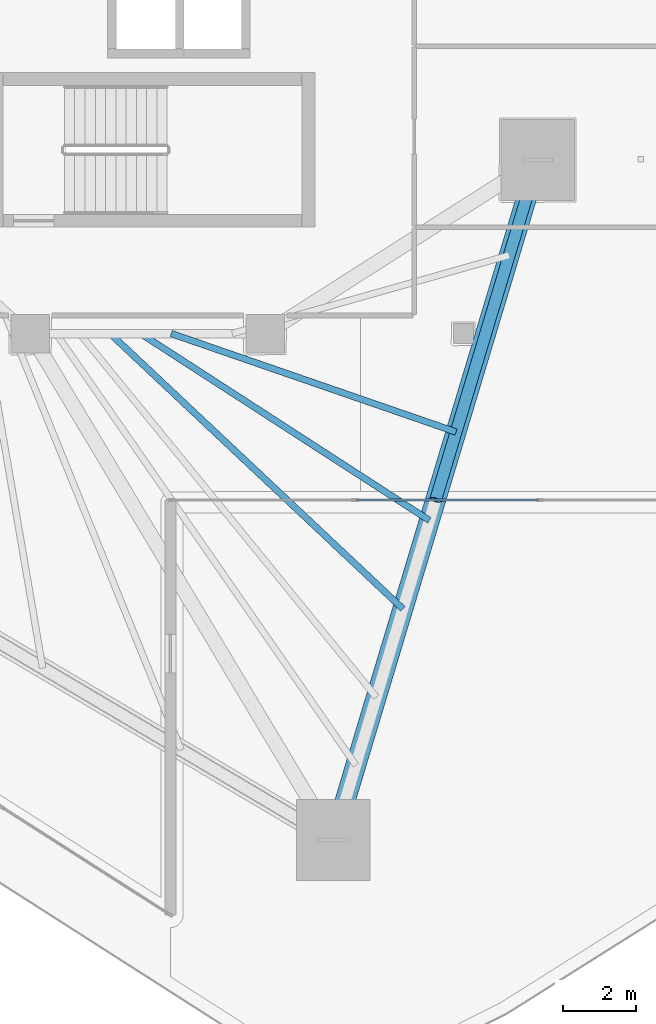
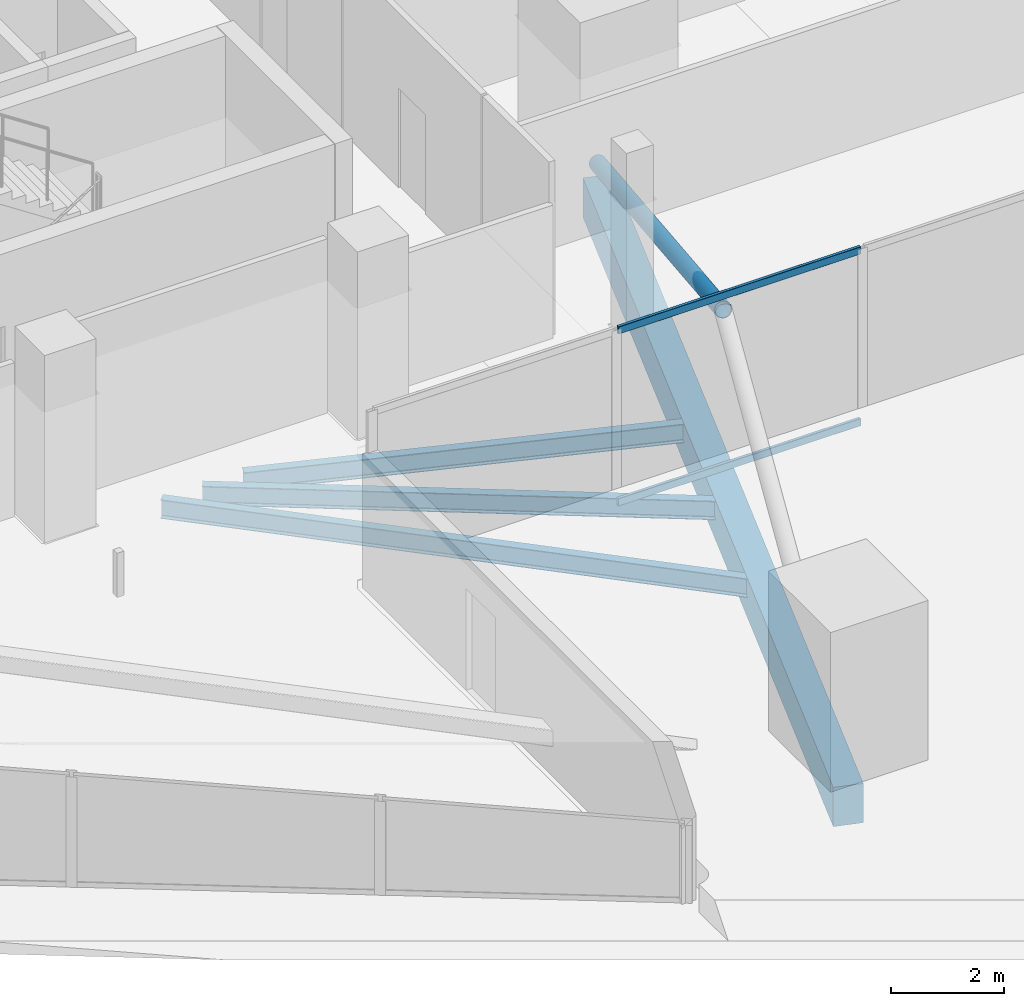
# One storey, part 12 of 43: 4 beams, 3 members, 1 element without a shape of its own.
"""IFC4 building model written with IfcOpenShell, lengths in metres."""

from ifc_helpers import new_model, si_unit, direction, frame, origin, origin_2d, place, context, subcontext, project, spatial, rectangle, hollow_rectangle, hollow_circle, i_section, extrude, material, layer, layer_set, material_profile, profile_set, type_object, element, aggregate, save


model = new_model("IFC4")

# Units and contexts
model_context = context("Model", 3, precision=1e-05, world=origin(), true_north=direction((0.0, 1.0)))
body_context = subcontext(model_context, "Body", "Model", "MODEL_VIEW")
ifc_project = project(units=[si_unit("LENGTHUNIT", "METRE"), si_unit("AREAUNIT", "SQUARE_METRE"), si_unit("VOLUMEUNIT", "CUBIC_METRE"), si_unit("PLANEANGLEUNIT", "RADIAN"), si_unit("MASSUNIT", "GRAM", prefix="KILO")], contexts=[model_context])

# Site, building, storey
site_placement = place(None, origin())
site = spatial("IfcSite", under=ifc_project, at=site_placement, CompositionType="ELEMENT")
building_placement = place(site_placement, origin())
building = spatial("IfcBuilding", under=site, at=building_placement, Name="Qorvath Tower", CompositionType="ELEMENT")
storey_placement = place(building_placement, frame((0.0, 0.0, 150.300048828125)))
storey = spatial("IfcBuildingStorey", under=building, at=storey_placement, Name="L34", CompositionType="ELEMENT", Elevation=150.300048828125)

# Beams
ifc_material_1 = material(Name="Steel ASTM A992 Grade 50", Category="steel")
ifc_material_profile_1 = material_profile(ifc_material_1, i_section(OverallWidth=0.177978515625, OverallDepth=0.406005859375, WebThickness=0.0078125, FlangeThickness=0.0126953125, FilletRadius=0.010986328125, at=origin_2d()), Name="W16x40")
ifc_profile_set_1 = profile_set([ifc_material_profile_1], Name="Steel ASTM A992 Grade 50")
beam_type_1 = type_object("IfcBeamType", Name="BM-FJ3", PredefinedType="JOIST", material=ifc_profile_set_1)
beam_1_placement = place(storey_placement, frame((-19.760009765625, -11.449951171875, -0.47314453125), z_axis=(0.945168345309, -0.326583525342, 0.0), x_axis=(0.326583525342, 0.945168345309, 0.0)))
element("IfcBeam", 1, at=beam_1_placement, inside=storey, type_object=beam_type_1, Name="Composite Floor Joist SE3 L34", PredefinedType="JOIST", context=body_context, shape_type="SweptSolid", body=[
    extrude(i_section(OverallWidth=0.177978515625, OverallDepth=0.406005859375, WebThickness=0.0078125, FlangeThickness=0.0126953125, FilletRadius=0.010986328125, at=origin_2d()), origin(), (0.0, 0.0, 1.0), 8.21044921875),
])
beam_2_placement = place(storey_placement, frame((-20.592041015625, -11.449951171875, -0.47314453125), z_axis=(0.839630966809, -0.543157288062, 0.0), x_axis=(0.543157288062, 0.839630966809, 0.0)))
element("IfcBeam", 2, at=beam_2_placement, inside=storey, type_object=beam_type_1, Name="Composite Floor Joist SE4 L34", PredefinedType="JOIST", context=body_context, shape_type="SweptSolid", body=[
    extrude(i_section(OverallWidth=0.177978515625, OverallDepth=0.406005859375, WebThickness=0.0078125, FlangeThickness=0.0126953125, FilletRadius=0.010986328125, at=origin_2d()), origin(), (0.0, 0.0, 1.0), 9.370361328125),
])
beam_3_placement = place(storey_placement, frame((-21.424072265625, -11.449951171875, -0.47314453125), z_axis=(0.728572459091, -0.684968737866, 0.0), x_axis=(0.684968737866, 0.728572459091, 0.0)))
element("IfcBeam", 3, at=beam_3_placement, inside=storey, type_object=beam_type_1, Name="Composite Floor Joist SE5 L34", PredefinedType="JOIST", context=body_context, shape_type="SweptSolid", body=[
    extrude(i_section(OverallWidth=0.177978515625, OverallDepth=0.406005859375, WebThickness=0.0078125, FlangeThickness=0.0126953125, FilletRadius=0.010986328125, at=origin_2d()), origin(), (0.0, 0.0, 1.0), 10.9462890625),
])
ifc_material_2 = material(Name="Concrete C50/60", Category="concrete")
ifc_material_profile_2 = material_profile(ifc_material_2, rectangle(XDim=0.550048828125, YDim=0.85009765625, at=origin_2d()), Name="RCB 850x550")
ifc_profile_set_2 = profile_set([ifc_material_profile_2], Name="Concrete C50/60")
beam_type_2 = type_object("IfcBeamType", Name="BM-RCB2", PredefinedType="SPANDREL", material=ifc_profile_set_2)
beam_4_placement = place(storey_placement, frame((-15.34423828125, -25.24609375, -0.695068359375), z_axis=(0.288133952099, 0.957590113591, 0.0), x_axis=(-0.957590113591, 0.288133952099, 0.0)))
element("IfcBeam", 4, at=beam_4_placement, inside=storey, type_object=beam_type_2, Name="Perimeter Loggia Frame Beam MC3-MC4 L34", PredefinedType="SPANDREL", context=body_context, shape_type="SweptSolid", body=[
    extrude(rectangle(XDim=0.550048828125, YDim=0.85009765625, at=origin_2d()), origin(), (0.0, 0.0, 1.0), 19.344970703125),
])

# Curtain wall, members
ifc_material_3 = material(Name="Anodised aluminium and triple low-E glass", Category="aluminium")
ifc_layer = layer(ifc_material_3, 0.179931640625)
ifc_layer_set = layer_set([ifc_layer], Name="CW-SYS-5")
curtain_wall_type = type_object("IfcCurtainWallType", Name="CW-SYS-5", PredefinedType="NOTDEFINED", material=ifc_layer_set)
curtain_wall_placement = place(storey_placement, origin())
curtain_wall = element("IfcCurtainWall", 5, at=curtain_wall_placement, inside=storey, type_object=curtain_wall_type, Name="Curtain Wall CW-5 CW-T-L34-2.1", PredefinedType="NOTDEFINED")
ifc_material_4 = material(Name="Anodised aluminium 6063-T6", Category="aluminium")
ifc_material_profile_3 = material_profile(ifc_material_4, hollow_rectangle(XDim=0.06494140625, YDim=0.159912109375, WallThickness=0.00341796875, InnerFilletRadius=0.00341796875, OuterFilletRadius=0.007080078125, at=origin_2d()), Name="CWT 160x65")
ifc_profile_set_3 = profile_set([ifc_material_profile_3], Name="Anodised aluminium 6063-T6")
member_type_1 = type_object("IfcMemberType", Name="CWT-160", PredefinedType="USERDEFINED", material=ifc_profile_set_3)
member_1_placement = place(storey_placement, frame((-14.71435546875, -15.98388671875, 0.032470703125), z_axis=(1.0, 0.0, 0.0), x_axis=(0.0, 1.0, 0.0)))
member_1 = element("IfcMember", 6, at=member_1_placement, type_object=member_type_1, Name="CW-5 transom 2.1", ObjectType="TRANSOM", PredefinedType="USERDEFINED", context=body_context, shape_type="SweptSolid", body=[
    extrude(hollow_rectangle(XDim=0.06494140625, YDim=0.159912109375, WallThickness=0.00341796875, InnerFilletRadius=0.00341796875, OuterFilletRadius=0.007080078125, at=origin_2d()), origin(), (0.0, 0.0, 1.0), 4.956787109375),
])
member_2_placement = place(storey_placement, frame((-14.71435546875, -15.98388671875, 3.74755859375), z_axis=(1.0, 0.0, 0.0), x_axis=(0.0, 1.0, 0.0)))
member_2 = element("IfcMember", 7, at=member_2_placement, type_object=member_type_1, Name="CW-5 transom 2.2", ObjectType="TRANSOM", PredefinedType="USERDEFINED", context=body_context, shape_type="SweptSolid", body=[
    extrude(hollow_rectangle(XDim=0.06494140625, YDim=0.159912109375, WallThickness=0.00341796875, InnerFilletRadius=0.00341796875, OuterFilletRadius=0.007080078125, at=origin_2d()), origin(), (0.0, 0.0, 1.0), 4.956787109375),
])
aggregate(curtain_wall, [member_1, member_2])

# Member
ifc_material_5 = material(Name="Steel ASTM A500 Grade C", Category="steel")
ifc_material_profile_4 = material_profile(ifc_material_5, hollow_circle(Radius=0.161865234375, WallThickness=0.0126953125, at=origin_2d()), Name="CHS 324x12.7")
ifc_profile_set_4 = profile_set([ifc_material_profile_4], Name="Steel ASTM A500 Grade C")
member_type_2 = type_object("IfcMemberType", Name="MEM-ST1", PredefinedType="STRUT", material=ifc_profile_set_4)
member_3_placement = place(storey_placement, frame((-9.770263671875, -6.721435546875, 0.0), z_axis=(-0.271557321169, -0.902526644811, 0.334218905397), x_axis=(0.957592547963, -0.288125861537, 0.0)))
element("IfcMember", 8, at=member_3_placement, inside=storey, type_object=member_type_2, Name="Sky Garden Corner Strut L34-B", PredefinedType="STRUT", context=body_context, shape_type="SweptSolid", body=[
    extrude(hollow_circle(Radius=0.161865234375, WallThickness=0.0126953125, at=origin_2d()), origin(), (0.0, 0.0, 1.0), 10.262451171875),
])

save(model, "model.ifc")
